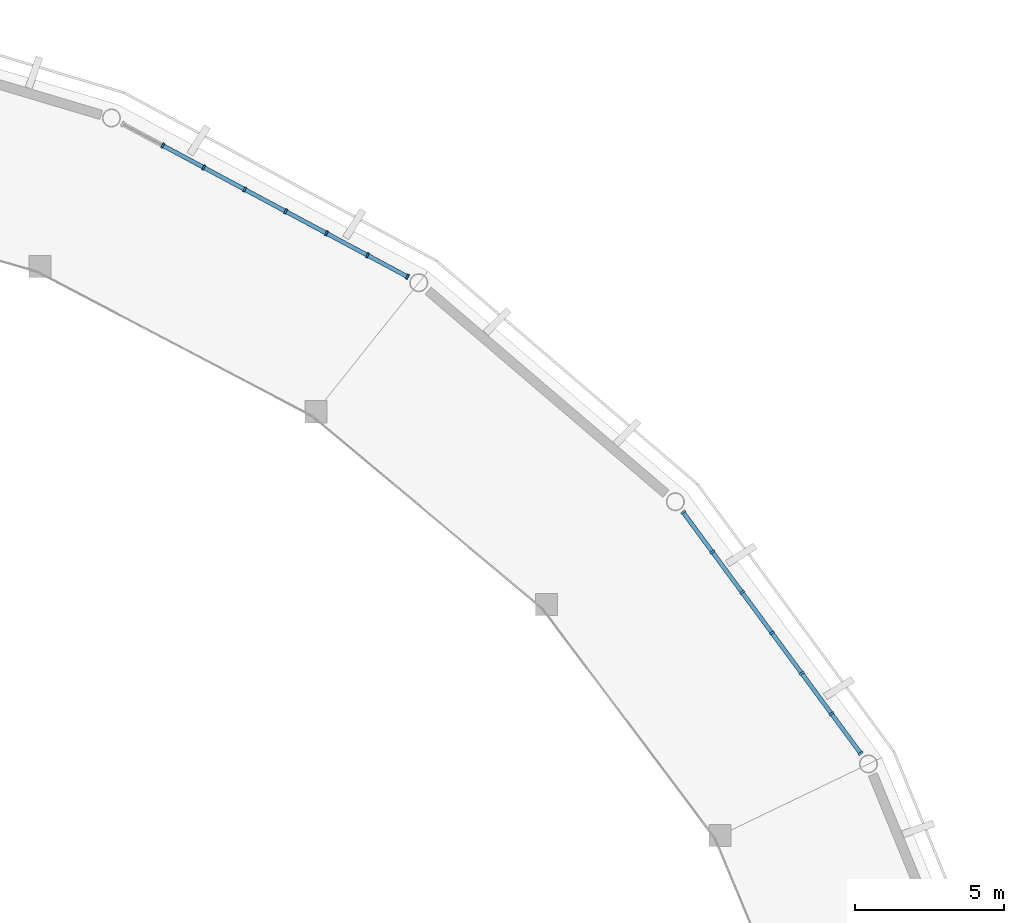
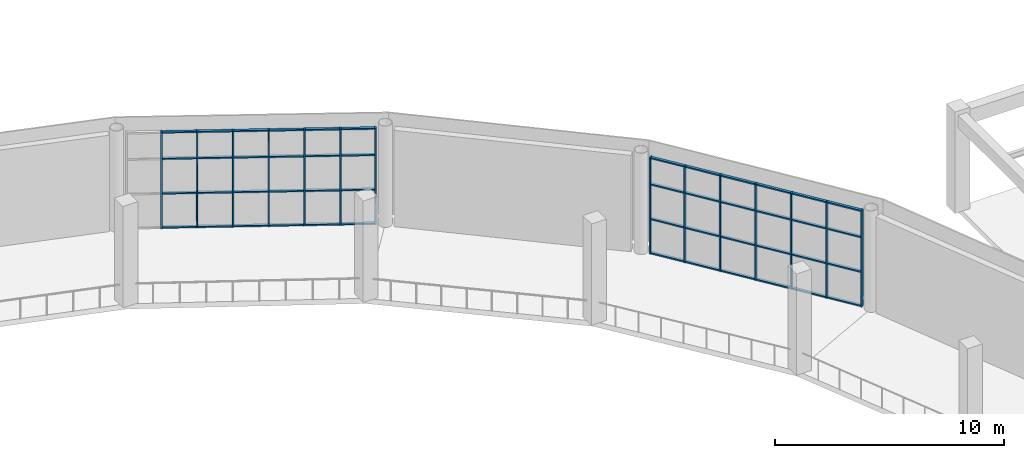
# One storey, part 19 of 40: 62 members, 2 elements without a shape of their own.
"""IFC4 building model written with IfcOpenShell, lengths in metres."""

from ifc_helpers import new_model, si_unit, direction, frame, origin, origin_2d, place, context, subcontext, project, spatial, rectangle, extrude, material, material_profile, profile_set, type_object, element, aggregate, save


model = new_model("IFC4")

# Units and contexts
model_context = context("Model", 3, precision=1e-05, world=origin(), true_north=direction((0.0, 1.0)))
body_context = subcontext(model_context, "Body", "Model", "MODEL_VIEW")
ifc_project = project(units=[si_unit("LENGTHUNIT", "METRE"), si_unit("AREAUNIT", "SQUARE_METRE"), si_unit("VOLUMEUNIT", "CUBIC_METRE"), si_unit("PLANEANGLEUNIT", "RADIAN"), si_unit("MASSUNIT", "GRAM", prefix="KILO")], contexts=[model_context])

# Site, building, storey
site_placement = place(None, origin())
site = spatial("IfcSite", under=ifc_project, at=site_placement, CompositionType="ELEMENT")
building_placement = place(site_placement, origin())
building = spatial("IfcBuilding", under=site, at=building_placement, Name="Cuetzalor Civic Arena", CompositionType="ELEMENT")
storey_placement = place(building_placement, frame((0.0, 0.0, 26.39990234375)))
storey = spatial("IfcBuildingStorey", under=building, at=storey_placement, Name="L05", CompositionType="ELEMENT", Elevation=26.39990234375)

# Curtain wall, members
ifc_material_1 = material(Name="Anodised dark bronze aluminium and low-E solar glass", Category="aluminium")
curtain_wall_type_1 = type_object("IfcCurtainWallType", Name="UnitisedCW_10150x5150", PredefinedType="USERDEFINED", material=ifc_material_1)
curtain_wall_1_placement = place(storey_placement, origin())
curtain_wall_1 = element("IfcCurtainWall", 1, at=curtain_wall_1_placement, inside=storey, type_object=curtain_wall_type_1, Name="Drum Triangle Foyer Curtain Wall L05-069", ObjectType="UNITISED CURTAIN WALL", PredefinedType="USERDEFINED")
ifc_material_2 = material(Name="Anodised dark bronze aluminium", Category="aluminium")
ifc_material_profile_1 = material_profile(ifc_material_2, rectangle(XDim=0.070068359375, YDim=0.179931640625, at=origin_2d()), Name="ALU MULLION 70x180")
ifc_profile_set_1 = profile_set([ifc_material_profile_1], Name="Anodised dark bronze aluminium")
member_type_1 = type_object("IfcMemberType", Name="CurtainWallMullion_65x180", PredefinedType="MULLION", material=ifc_profile_set_1)
member_1_placement = place(storey_placement, frame((42.911865234375, 28.66650390625, 0.0), z_axis=(0.0, 0.0, 1.0), x_axis=(0.59292931222, -0.805254513002, 0.0)))
member_1 = element("IfcMember", 2, at=member_1_placement, type_object=member_type_1, Name="CW-18 mullion 1", PredefinedType="MULLION", context=body_context, shape_type="SweptSolid", body=[
    extrude(rectangle(XDim=0.070068359375, YDim=0.179931640625, at=origin_2d()), origin(), (0.0, 0.0, 1.0), 5.135986328125),
])
member_2_placement = place(storey_placement, frame((43.8935546875, 27.333251953125, 0.0), z_axis=(0.0, 0.0, 1.0), x_axis=(0.59292931222, -0.805254513002, 0.0)))
member_2 = element("IfcMember", 3, at=member_2_placement, type_object=member_type_1, Name="CW-18 mullion 2", PredefinedType="MULLION", context=body_context, shape_type="SweptSolid", body=[
    extrude(rectangle(XDim=0.070068359375, YDim=0.179931640625, at=origin_2d()), origin(), (0.0, 0.0, 1.0), 5.135986328125),
])
member_3_placement = place(storey_placement, frame((44.89599609375, 25.9716796875, 0.0), z_axis=(0.0, 0.0, 1.0), x_axis=(0.59292931222, -0.805254513002, 0.0)))
member_3 = element("IfcMember", 4, at=member_3_placement, type_object=member_type_1, Name="CW-18 mullion 3", PredefinedType="MULLION", context=body_context, shape_type="SweptSolid", body=[
    extrude(rectangle(XDim=0.070068359375, YDim=0.179931640625, at=origin_2d()), origin(), (0.0, 0.0, 1.0), 5.135986328125),
])
member_4_placement = place(storey_placement, frame((45.8984375, 24.6103515625, 0.0), z_axis=(0.0, 0.0, 1.0), x_axis=(0.59292931222, -0.805254513002, 0.0)))
member_4 = element("IfcMember", 5, at=member_4_placement, type_object=member_type_1, Name="CW-18 mullion 4", PredefinedType="MULLION", context=body_context, shape_type="SweptSolid", body=[
    extrude(rectangle(XDim=0.070068359375, YDim=0.179931640625, at=origin_2d()), origin(), (0.0, 0.0, 1.0), 5.135986328125),
])
member_5_placement = place(storey_placement, frame((46.90087890625, 23.2490234375, 0.0), z_axis=(0.0, 0.0, 1.0), x_axis=(0.59292931222, -0.805254513002, 0.0)))
member_5 = element("IfcMember", 6, at=member_5_placement, type_object=member_type_1, Name="CW-18 mullion 5", PredefinedType="MULLION", context=body_context, shape_type="SweptSolid", body=[
    extrude(rectangle(XDim=0.070068359375, YDim=0.179931640625, at=origin_2d()), origin(), (0.0, 0.0, 1.0), 5.135986328125),
])
member_6_placement = place(storey_placement, frame((47.9033203125, 21.8876953125, 0.0), z_axis=(0.0, 0.0, 1.0), x_axis=(0.59292931222, -0.805254513002, 0.0)))
member_6 = element("IfcMember", 7, at=member_6_placement, type_object=member_type_1, Name="CW-18 mullion 6", PredefinedType="MULLION", context=body_context, shape_type="SweptSolid", body=[
    extrude(rectangle(XDim=0.070068359375, YDim=0.179931640625, at=origin_2d()), origin(), (0.0, 0.0, 1.0), 5.135986328125),
])
member_7_placement = place(storey_placement, frame((48.885009765625, 20.554443359375, 0.0), z_axis=(0.0, 0.0, 1.0), x_axis=(0.59292931222, -0.805254513002, 0.0)))
member_7 = element("IfcMember", 8, at=member_7_placement, type_object=member_type_1, Name="CW-18 mullion 7", PredefinedType="MULLION", context=body_context, shape_type="SweptSolid", body=[
    extrude(rectangle(XDim=0.070068359375, YDim=0.179931640625, at=origin_2d()), origin(), (0.0, 0.0, 1.0), 5.135986328125),
])

ifc_material_3 = material(Name="Anodised dark bronze aluminium and low-E solar glass", Category="aluminium")
curtain_wall_type_2 = type_object("IfcCurtainWallType", Name="UnitisedCW_10950x5150", PredefinedType="USERDEFINED", material=ifc_material_3)
curtain_wall_2_placement = place(storey_placement, origin())
curtain_wall_2 = element("IfcCurtainWall", 9, at=curtain_wall_2_placement, inside=storey, type_object=curtain_wall_type_2, Name="Drum Triangle Foyer Curtain Wall L05-070", ObjectType="UNITISED CURTAIN WALL", PredefinedType="USERDEFINED")
member_8_placement = place(storey_placement, frame((25.39453125, 41.0146484375, 0.0), z_axis=(0.0, 0.0, 1.0), x_axis=(0.881306344124, -0.472545371163, 0.0)))
member_8 = element("IfcMember", 10, at=member_8_placement, type_object=member_type_1, Name="CW-19 mullion 2", PredefinedType="MULLION", context=body_context, shape_type="SweptSolid", body=[
    extrude(rectangle(XDim=0.070068359375, YDim=0.179931640625, at=origin_2d()), origin(), (0.0, 0.0, 1.0), 5.135986328125),
])
member_9_placement = place(storey_placement, frame((26.772705078125, 40.275634765625, 0.0), z_axis=(0.0, 0.0, 1.0), x_axis=(0.881306344124, -0.472545371163, 0.0)))
member_9 = element("IfcMember", 11, at=member_9_placement, type_object=member_type_1, Name="CW-19 mullion 3", PredefinedType="MULLION", context=body_context, shape_type="SweptSolid", body=[
    extrude(rectangle(XDim=0.070068359375, YDim=0.179931640625, at=origin_2d()), origin(), (0.0, 0.0, 1.0), 5.135986328125),
])
member_10_placement = place(storey_placement, frame((28.15087890625, 39.53662109375, 0.0), z_axis=(0.0, 0.0, 1.0), x_axis=(0.881306344124, -0.472545371163, 0.0)))
member_10 = element("IfcMember", 12, at=member_10_placement, type_object=member_type_1, Name="CW-19 mullion 4", PredefinedType="MULLION", context=body_context, shape_type="SweptSolid", body=[
    extrude(rectangle(XDim=0.070068359375, YDim=0.179931640625, at=origin_2d()), origin(), (0.0, 0.0, 1.0), 5.135986328125),
])
member_11_placement = place(storey_placement, frame((29.529052734375, 38.797607421875, 0.0), z_axis=(0.0, 0.0, 1.0), x_axis=(0.881306344124, -0.472545371163, 0.0)))
member_11 = element("IfcMember", 13, at=member_11_placement, type_object=member_type_1, Name="CW-19 mullion 5", PredefinedType="MULLION", context=body_context, shape_type="SweptSolid", body=[
    extrude(rectangle(XDim=0.070068359375, YDim=0.179931640625, at=origin_2d()), origin(), (0.0, 0.0, 1.0), 5.135986328125),
])
member_12_placement = place(storey_placement, frame((30.9072265625, 38.058837890625, 0.0), z_axis=(0.0, 0.0, 1.0), x_axis=(0.881306344124, -0.472545371163, 0.0)))
member_12 = element("IfcMember", 14, at=member_12_placement, type_object=member_type_1, Name="CW-19 mullion 6", PredefinedType="MULLION", context=body_context, shape_type="SweptSolid", body=[
    extrude(rectangle(XDim=0.070068359375, YDim=0.179931640625, at=origin_2d()), origin(), (0.0, 0.0, 1.0), 5.135986328125),
])
member_13_placement = place(storey_placement, frame((32.28515625, 37.31982421875, 0.0), z_axis=(0.0, 0.0, 1.0), x_axis=(0.881306344124, -0.472545371163, 0.0)))
member_13 = element("IfcMember", 15, at=member_13_placement, type_object=member_type_1, Name="CW-19 mullion 7", PredefinedType="MULLION", context=body_context, shape_type="SweptSolid", body=[
    extrude(rectangle(XDim=0.070068359375, YDim=0.179931640625, at=origin_2d()), origin(), (0.0, 0.0, 1.0), 5.135986328125),
])
member_14_placement = place(storey_placement, frame((33.632568359375, 36.597412109375, 0.0), z_axis=(0.0, 0.0, 1.0), x_axis=(0.881306344124, -0.472545371163, 0.0)))
member_14 = element("IfcMember", 16, at=member_14_placement, type_object=member_type_1, Name="CW-19 mullion 8", PredefinedType="MULLION", context=body_context, shape_type="SweptSolid", body=[
    extrude(rectangle(XDim=0.070068359375, YDim=0.179931640625, at=origin_2d()), origin(), (0.0, 0.0, 1.0), 5.135986328125),
])

# Member
ifc_material_4 = material(Name="Anodised dark bronze aluminium", Category="aluminium")
ifc_material_profile_2 = material_profile(ifc_material_4, rectangle(XDim=0.139892578125, YDim=0.070068359375, at=origin_2d()), Name="ALU TRANSOM 70x140")
ifc_profile_set_2 = profile_set([ifc_material_profile_2], Name="Anodised dark bronze aluminium")
member_type_2 = type_object("IfcMemberType", Name="CurtainWallTransom_65x140", PredefinedType="USERDEFINED", material=ifc_profile_set_2)
member_15_placement = place(storey_placement, frame((42.9326171875, 28.63818359375, 0.03515625), z_axis=(0.59293115048, -0.805253159442, 0.0), x_axis=(0.805253159442, 0.59293115048, 0.0)))
member_15 = element("IfcMember", 17, at=member_15_placement, type_object=member_type_2, Name="CW-18 transom 1.1", ObjectType="TRANSOM", PredefinedType="USERDEFINED", context=body_context, shape_type="SweptSolid", body=[
    extrude(rectangle(XDim=0.139892578125, YDim=0.070068359375, at=origin_2d()), origin(), (0.0, 0.0, 1.0), 1.585693359375),
])

member_16_placement = place(storey_placement, frame((42.9326171875, 28.63818359375, 1.84912109375), z_axis=(0.59293115048, -0.805253159442, 0.0), x_axis=(0.805253159442, 0.59293115048, 0.0)))
member_16 = element("IfcMember", 18, at=member_16_placement, type_object=member_type_2, Name="CW-18 transom 1.2", ObjectType="TRANSOM", PredefinedType="USERDEFINED", context=body_context, shape_type="SweptSolid", body=[
    extrude(rectangle(XDim=0.139892578125, YDim=0.070068359375, at=origin_2d()), origin(), (0.0, 0.0, 1.0), 1.585693359375),
])

member_17_placement = place(storey_placement, frame((42.9326171875, 28.63818359375, 3.697998046875), z_axis=(0.59293115048, -0.805253159442, 0.0), x_axis=(0.805253159442, 0.59293115048, 0.0)))
member_17 = element("IfcMember", 19, at=member_17_placement, type_object=member_type_2, Name="CW-18 transom 1.3", ObjectType="TRANSOM", PredefinedType="USERDEFINED", context=body_context, shape_type="SweptSolid", body=[
    extrude(rectangle(XDim=0.139892578125, YDim=0.070068359375, at=origin_2d()), origin(), (0.0, 0.0, 1.0), 1.585693359375),
])

member_18_placement = place(storey_placement, frame((42.9326171875, 28.63818359375, 5.10107421875), z_axis=(0.59293115048, -0.805253159442, 0.0), x_axis=(0.805253159442, 0.59293115048, 0.0)))
member_18 = element("IfcMember", 20, at=member_18_placement, type_object=member_type_2, Name="CW-18 transom 1.4", ObjectType="TRANSOM", PredefinedType="USERDEFINED", context=body_context, shape_type="SweptSolid", body=[
    extrude(rectangle(XDim=0.139892578125, YDim=0.070068359375, at=origin_2d()), origin(), (0.0, 0.0, 1.0), 1.585693359375),
])

member_19_placement = place(storey_placement, frame((43.914306640625, 27.304931640625, 0.03515625), z_axis=(0.592962622822, -0.805229984499, 0.0), x_axis=(0.805229984499, 0.592962622822, 0.0)))
member_19 = element("IfcMember", 21, at=member_19_placement, type_object=member_type_2, Name="CW-18 transom 2.1", ObjectType="TRANSOM", PredefinedType="USERDEFINED", context=body_context, shape_type="SweptSolid", body=[
    extrude(rectangle(XDim=0.139892578125, YDim=0.070068359375, at=origin_2d()), origin(), (0.0, 0.0, 1.0), 1.62060546875),
])

member_20_placement = place(storey_placement, frame((43.914306640625, 27.304931640625, 1.84912109375), z_axis=(0.592962622822, -0.805229984499, 0.0), x_axis=(0.805229984499, 0.592962622822, 0.0)))
member_20 = element("IfcMember", 22, at=member_20_placement, type_object=member_type_2, Name="CW-18 transom 2.2", ObjectType="TRANSOM", PredefinedType="USERDEFINED", context=body_context, shape_type="SweptSolid", body=[
    extrude(rectangle(XDim=0.139892578125, YDim=0.070068359375, at=origin_2d()), origin(), (0.0, 0.0, 1.0), 1.62060546875),
])

member_21_placement = place(storey_placement, frame((43.914306640625, 27.304931640625, 3.697998046875), z_axis=(0.592962622822, -0.805229984499, 0.0), x_axis=(0.805229984499, 0.592962622822, 0.0)))
member_21 = element("IfcMember", 23, at=member_21_placement, type_object=member_type_2, Name="CW-18 transom 2.3", ObjectType="TRANSOM", PredefinedType="USERDEFINED", context=body_context, shape_type="SweptSolid", body=[
    extrude(rectangle(XDim=0.139892578125, YDim=0.070068359375, at=origin_2d()), origin(), (0.0, 0.0, 1.0), 1.62060546875),
])

member_22_placement = place(storey_placement, frame((43.914306640625, 27.304931640625, 5.10107421875), z_axis=(0.592962622822, -0.805229984499, 0.0), x_axis=(0.805229984499, 0.592962622822, 0.0)))
member_22 = element("IfcMember", 24, at=member_22_placement, type_object=member_type_2, Name="CW-18 transom 2.4", ObjectType="TRANSOM", PredefinedType="USERDEFINED", context=body_context, shape_type="SweptSolid", body=[
    extrude(rectangle(XDim=0.139892578125, YDim=0.070068359375, at=origin_2d()), origin(), (0.0, 0.0, 1.0), 1.62060546875),
])

member_23_placement = place(storey_placement, frame((44.916748046875, 25.943603515625, 0.03515625), z_axis=(0.592962622822, -0.805229984499, 0.0), x_axis=(0.805229984499, 0.592962622822, 0.0)))
member_23 = element("IfcMember", 25, at=member_23_placement, type_object=member_type_2, Name="CW-18 transom 3.1", ObjectType="TRANSOM", PredefinedType="USERDEFINED", context=body_context, shape_type="SweptSolid", body=[
    extrude(rectangle(XDim=0.139892578125, YDim=0.070068359375, at=origin_2d()), origin(), (0.0, 0.0, 1.0), 1.62060546875),
])

member_24_placement = place(storey_placement, frame((44.916748046875, 25.943603515625, 1.84912109375), z_axis=(0.592962622822, -0.805229984499, 0.0), x_axis=(0.805229984499, 0.592962622822, 0.0)))
member_24 = element("IfcMember", 26, at=member_24_placement, type_object=member_type_2, Name="CW-18 transom 3.2", ObjectType="TRANSOM", PredefinedType="USERDEFINED", context=body_context, shape_type="SweptSolid", body=[
    extrude(rectangle(XDim=0.139892578125, YDim=0.070068359375, at=origin_2d()), origin(), (0.0, 0.0, 1.0), 1.62060546875),
])

member_25_placement = place(storey_placement, frame((44.916748046875, 25.943603515625, 3.697998046875), z_axis=(0.592962622822, -0.805229984499, 0.0), x_axis=(0.805229984499, 0.592962622822, 0.0)))
member_25 = element("IfcMember", 27, at=member_25_placement, type_object=member_type_2, Name="CW-18 transom 3.3", ObjectType="TRANSOM", PredefinedType="USERDEFINED", context=body_context, shape_type="SweptSolid", body=[
    extrude(rectangle(XDim=0.139892578125, YDim=0.070068359375, at=origin_2d()), origin(), (0.0, 0.0, 1.0), 1.62060546875),
])

member_26_placement = place(storey_placement, frame((44.916748046875, 25.943603515625, 5.10107421875), z_axis=(0.592962622822, -0.805229984499, 0.0), x_axis=(0.805229984499, 0.592962622822, 0.0)))
member_26 = element("IfcMember", 28, at=member_26_placement, type_object=member_type_2, Name="CW-18 transom 3.4", ObjectType="TRANSOM", PredefinedType="USERDEFINED", context=body_context, shape_type="SweptSolid", body=[
    extrude(rectangle(XDim=0.139892578125, YDim=0.070068359375, at=origin_2d()), origin(), (0.0, 0.0, 1.0), 1.62060546875),
])

member_27_placement = place(storey_placement, frame((45.919189453125, 24.582275390625, 0.03515625), z_axis=(0.592890697621, -0.805282944482, 0.0), x_axis=(0.805282944482, 0.592890697621, 0.0)))
member_27 = element("IfcMember", 29, at=member_27_placement, type_object=member_type_2, Name="CW-18 transom 4.1", ObjectType="TRANSOM", PredefinedType="USERDEFINED", context=body_context, shape_type="SweptSolid", body=[
    extrude(rectangle(XDim=0.139892578125, YDim=0.070068359375, at=origin_2d()), origin(), (0.0, 0.0, 1.0), 1.620849609375),
])

member_28_placement = place(storey_placement, frame((45.919189453125, 24.582275390625, 1.84912109375), z_axis=(0.592890697621, -0.805282944482, 0.0), x_axis=(0.805282944482, 0.592890697621, 0.0)))
member_28 = element("IfcMember", 30, at=member_28_placement, type_object=member_type_2, Name="CW-18 transom 4.2", ObjectType="TRANSOM", PredefinedType="USERDEFINED", context=body_context, shape_type="SweptSolid", body=[
    extrude(rectangle(XDim=0.139892578125, YDim=0.070068359375, at=origin_2d()), origin(), (0.0, 0.0, 1.0), 1.620849609375),
])

member_29_placement = place(storey_placement, frame((45.919189453125, 24.582275390625, 3.697998046875), z_axis=(0.592890697621, -0.805282944482, 0.0), x_axis=(0.805282944482, 0.592890697621, 0.0)))
member_29 = element("IfcMember", 31, at=member_29_placement, type_object=member_type_2, Name="CW-18 transom 4.3", ObjectType="TRANSOM", PredefinedType="USERDEFINED", context=body_context, shape_type="SweptSolid", body=[
    extrude(rectangle(XDim=0.139892578125, YDim=0.070068359375, at=origin_2d()), origin(), (0.0, 0.0, 1.0), 1.620849609375),
])

member_30_placement = place(storey_placement, frame((45.919189453125, 24.582275390625, 5.10107421875), z_axis=(0.592890697621, -0.805282944482, 0.0), x_axis=(0.805282944482, 0.592890697621, 0.0)))
member_30 = element("IfcMember", 32, at=member_30_placement, type_object=member_type_2, Name="CW-18 transom 4.4", ObjectType="TRANSOM", PredefinedType="USERDEFINED", context=body_context, shape_type="SweptSolid", body=[
    extrude(rectangle(XDim=0.139892578125, YDim=0.070068359375, at=origin_2d()), origin(), (0.0, 0.0, 1.0), 1.620849609375),
])

member_31_placement = place(storey_placement, frame((46.921630859375, 23.220703125, 0.03515625), z_axis=(0.592962622822, -0.805229984499, 0.0), x_axis=(0.805229984499, 0.592962622822, 0.0)))
member_31 = element("IfcMember", 33, at=member_31_placement, type_object=member_type_2, Name="CW-18 transom 5.1", ObjectType="TRANSOM", PredefinedType="USERDEFINED", context=body_context, shape_type="SweptSolid", body=[
    extrude(rectangle(XDim=0.139892578125, YDim=0.070068359375, at=origin_2d()), origin(), (0.0, 0.0, 1.0), 1.62060546875),
])

member_32_placement = place(storey_placement, frame((46.921630859375, 23.220703125, 1.84912109375), z_axis=(0.592962622822, -0.805229984499, 0.0), x_axis=(0.805229984499, 0.592962622822, 0.0)))
member_32 = element("IfcMember", 34, at=member_32_placement, type_object=member_type_2, Name="CW-18 transom 5.2", ObjectType="TRANSOM", PredefinedType="USERDEFINED", context=body_context, shape_type="SweptSolid", body=[
    extrude(rectangle(XDim=0.139892578125, YDim=0.070068359375, at=origin_2d()), origin(), (0.0, 0.0, 1.0), 1.62060546875),
])

member_33_placement = place(storey_placement, frame((46.921630859375, 23.220703125, 3.697998046875), z_axis=(0.592962622822, -0.805229984499, 0.0), x_axis=(0.805229984499, 0.592962622822, 0.0)))
member_33 = element("IfcMember", 35, at=member_33_placement, type_object=member_type_2, Name="CW-18 transom 5.3", ObjectType="TRANSOM", PredefinedType="USERDEFINED", context=body_context, shape_type="SweptSolid", body=[
    extrude(rectangle(XDim=0.139892578125, YDim=0.070068359375, at=origin_2d()), origin(), (0.0, 0.0, 1.0), 1.62060546875),
])

member_34_placement = place(storey_placement, frame((46.921630859375, 23.220703125, 5.10107421875), z_axis=(0.592962622822, -0.805229984499, 0.0), x_axis=(0.805229984499, 0.592962622822, 0.0)))
member_34 = element("IfcMember", 36, at=member_34_placement, type_object=member_type_2, Name="CW-18 transom 5.4", ObjectType="TRANSOM", PredefinedType="USERDEFINED", context=body_context, shape_type="SweptSolid", body=[
    extrude(rectangle(XDim=0.139892578125, YDim=0.070068359375, at=origin_2d()), origin(), (0.0, 0.0, 1.0), 1.62060546875),
])

member_35_placement = place(storey_placement, frame((47.924072265625, 21.859375, 0.03515625), z_axis=(0.59293115048, -0.805253159442, 0.0), x_axis=(0.805253159442, 0.59293115048, 0.0)))
member_35 = element("IfcMember", 37, at=member_35_placement, type_object=member_type_2, Name="CW-18 transom 6.1", ObjectType="TRANSOM", PredefinedType="USERDEFINED", context=body_context, shape_type="SweptSolid", body=[
    extrude(rectangle(XDim=0.139892578125, YDim=0.070068359375, at=origin_2d()), origin(), (0.0, 0.0, 1.0), 1.585693359375),
])

member_36_placement = place(storey_placement, frame((47.924072265625, 21.859375, 1.84912109375), z_axis=(0.59293115048, -0.805253159442, 0.0), x_axis=(0.805253159442, 0.59293115048, 0.0)))
member_36 = element("IfcMember", 38, at=member_36_placement, type_object=member_type_2, Name="CW-18 transom 6.2", ObjectType="TRANSOM", PredefinedType="USERDEFINED", context=body_context, shape_type="SweptSolid", body=[
    extrude(rectangle(XDim=0.139892578125, YDim=0.070068359375, at=origin_2d()), origin(), (0.0, 0.0, 1.0), 1.585693359375),
])

member_37_placement = place(storey_placement, frame((47.924072265625, 21.859375, 3.697998046875), z_axis=(0.59293115048, -0.805253159442, 0.0), x_axis=(0.805253159442, 0.59293115048, 0.0)))
member_37 = element("IfcMember", 39, at=member_37_placement, type_object=member_type_2, Name="CW-18 transom 6.3", ObjectType="TRANSOM", PredefinedType="USERDEFINED", context=body_context, shape_type="SweptSolid", body=[
    extrude(rectangle(XDim=0.139892578125, YDim=0.070068359375, at=origin_2d()), origin(), (0.0, 0.0, 1.0), 1.585693359375),
])

member_38_placement = place(storey_placement, frame((47.924072265625, 21.859375, 5.10107421875), z_axis=(0.59293115048, -0.805253159442, 0.0), x_axis=(0.805253159442, 0.59293115048, 0.0)))
member_38 = element("IfcMember", 40, at=member_38_placement, type_object=member_type_2, Name="CW-18 transom 6.4", ObjectType="TRANSOM", PredefinedType="USERDEFINED", context=body_context, shape_type="SweptSolid", body=[
    extrude(rectangle(XDim=0.139892578125, YDim=0.070068359375, at=origin_2d()), origin(), (0.0, 0.0, 1.0), 1.585693359375),
])

aggregate(curtain_wall_1, [member_1, member_2, member_3, member_4, member_5, member_6, member_7, member_15, member_16, member_17, member_18, member_19, member_20, member_21, member_22, member_23, member_24, member_25, member_26, member_27, member_28, member_29, member_30, member_31, member_32, member_33, member_34, member_35, member_36, member_37, member_38])

member_39_placement = place(storey_placement, frame((25.42529296875, 40.998046875, 0.03515625), z_axis=(0.881351173238, -0.472461754465, 0.0), x_axis=(0.472461754465, 0.881351173238, 0.0)))
member_39 = element("IfcMember", 41, at=member_39_placement, type_object=member_type_2, Name="CW-19 transom 2.1", ObjectType="TRANSOM", PredefinedType="USERDEFINED", context=body_context, shape_type="SweptSolid", body=[
    extrude(rectangle(XDim=0.139892578125, YDim=0.070068359375, at=origin_2d()), origin(), (0.0, 0.0, 1.0), 1.493896484375),
])

member_40_placement = place(storey_placement, frame((25.42529296875, 40.998046875, 1.84912109375), z_axis=(0.881351173238, -0.472461754465, 0.0), x_axis=(0.472461754465, 0.881351173238, 0.0)))
member_40 = element("IfcMember", 42, at=member_40_placement, type_object=member_type_2, Name="CW-19 transom 2.2", ObjectType="TRANSOM", PredefinedType="USERDEFINED", context=body_context, shape_type="SweptSolid", body=[
    extrude(rectangle(XDim=0.139892578125, YDim=0.070068359375, at=origin_2d()), origin(), (0.0, 0.0, 1.0), 1.493896484375),
])

member_41_placement = place(storey_placement, frame((25.42529296875, 40.998046875, 3.697998046875), z_axis=(0.881351173238, -0.472461754465, 0.0), x_axis=(0.472461754465, 0.881351173238, 0.0)))
member_41 = element("IfcMember", 43, at=member_41_placement, type_object=member_type_2, Name="CW-19 transom 2.3", ObjectType="TRANSOM", PredefinedType="USERDEFINED", context=body_context, shape_type="SweptSolid", body=[
    extrude(rectangle(XDim=0.139892578125, YDim=0.070068359375, at=origin_2d()), origin(), (0.0, 0.0, 1.0), 1.493896484375),
])

member_42_placement = place(storey_placement, frame((25.42529296875, 40.998046875, 5.10107421875), z_axis=(0.881351173238, -0.472461754465, 0.0), x_axis=(0.472461754465, 0.881351173238, 0.0)))
member_42 = element("IfcMember", 44, at=member_42_placement, type_object=member_type_2, Name="CW-19 transom 2.4", ObjectType="TRANSOM", PredefinedType="USERDEFINED", context=body_context, shape_type="SweptSolid", body=[
    extrude(rectangle(XDim=0.139892578125, YDim=0.070068359375, at=origin_2d()), origin(), (0.0, 0.0, 1.0), 1.493896484375),
])

member_43_placement = place(storey_placement, frame((26.803466796875, 40.259033203125, 0.03515625), z_axis=(0.881314685602, -0.472529813812, 0.0), x_axis=(0.472529813812, 0.881314685602, 0.0)))
member_43 = element("IfcMember", 45, at=member_43_placement, type_object=member_type_2, Name="CW-19 transom 3.1", ObjectType="TRANSOM", PredefinedType="USERDEFINED", context=body_context, shape_type="SweptSolid", body=[
    extrude(rectangle(XDim=0.139892578125, YDim=0.070068359375, at=origin_2d()), origin(), (0.0, 0.0, 1.0), 1.49365234375),
])

member_44_placement = place(storey_placement, frame((26.803466796875, 40.259033203125, 1.84912109375), z_axis=(0.881314685602, -0.472529813812, 0.0), x_axis=(0.472529813812, 0.881314685602, 0.0)))
member_44 = element("IfcMember", 46, at=member_44_placement, type_object=member_type_2, Name="CW-19 transom 3.2", ObjectType="TRANSOM", PredefinedType="USERDEFINED", context=body_context, shape_type="SweptSolid", body=[
    extrude(rectangle(XDim=0.139892578125, YDim=0.070068359375, at=origin_2d()), origin(), (0.0, 0.0, 1.0), 1.49365234375),
])

member_45_placement = place(storey_placement, frame((26.803466796875, 40.259033203125, 3.697998046875), z_axis=(0.881314685602, -0.472529813812, 0.0), x_axis=(0.472529813812, 0.881314685602, 0.0)))
member_45 = element("IfcMember", 47, at=member_45_placement, type_object=member_type_2, Name="CW-19 transom 3.3", ObjectType="TRANSOM", PredefinedType="USERDEFINED", context=body_context, shape_type="SweptSolid", body=[
    extrude(rectangle(XDim=0.139892578125, YDim=0.070068359375, at=origin_2d()), origin(), (0.0, 0.0, 1.0), 1.49365234375),
])

member_46_placement = place(storey_placement, frame((26.803466796875, 40.259033203125, 5.10107421875), z_axis=(0.881314685602, -0.472529813812, 0.0), x_axis=(0.472529813812, 0.881314685602, 0.0)))
member_46 = element("IfcMember", 48, at=member_46_placement, type_object=member_type_2, Name="CW-19 transom 3.4", ObjectType="TRANSOM", PredefinedType="USERDEFINED", context=body_context, shape_type="SweptSolid", body=[
    extrude(rectangle(XDim=0.139892578125, YDim=0.070068359375, at=origin_2d()), origin(), (0.0, 0.0, 1.0), 1.49365234375),
])

member_47_placement = place(storey_placement, frame((28.181640625, 39.52001953125, 0.03515625), z_axis=(0.881314685602, -0.472529813812, 0.0), x_axis=(0.472529813812, 0.881314685602, 0.0)))
member_47 = element("IfcMember", 49, at=member_47_placement, type_object=member_type_2, Name="CW-19 transom 4.1", ObjectType="TRANSOM", PredefinedType="USERDEFINED", context=body_context, shape_type="SweptSolid", body=[
    extrude(rectangle(XDim=0.139892578125, YDim=0.070068359375, at=origin_2d()), origin(), (0.0, 0.0, 1.0), 1.49365234375),
])

member_48_placement = place(storey_placement, frame((28.181640625, 39.52001953125, 1.84912109375), z_axis=(0.881314685602, -0.472529813812, 0.0), x_axis=(0.472529813812, 0.881314685602, 0.0)))
member_48 = element("IfcMember", 50, at=member_48_placement, type_object=member_type_2, Name="CW-19 transom 4.2", ObjectType="TRANSOM", PredefinedType="USERDEFINED", context=body_context, shape_type="SweptSolid", body=[
    extrude(rectangle(XDim=0.139892578125, YDim=0.070068359375, at=origin_2d()), origin(), (0.0, 0.0, 1.0), 1.49365234375),
])

member_49_placement = place(storey_placement, frame((28.181640625, 39.52001953125, 3.697998046875), z_axis=(0.881314685602, -0.472529813812, 0.0), x_axis=(0.472529813812, 0.881314685602, 0.0)))
member_49 = element("IfcMember", 51, at=member_49_placement, type_object=member_type_2, Name="CW-19 transom 4.3", ObjectType="TRANSOM", PredefinedType="USERDEFINED", context=body_context, shape_type="SweptSolid", body=[
    extrude(rectangle(XDim=0.139892578125, YDim=0.070068359375, at=origin_2d()), origin(), (0.0, 0.0, 1.0), 1.49365234375),
])

member_50_placement = place(storey_placement, frame((28.181640625, 39.52001953125, 5.10107421875), z_axis=(0.881314685602, -0.472529813812, 0.0), x_axis=(0.472529813812, 0.881314685602, 0.0)))
member_50 = element("IfcMember", 52, at=member_50_placement, type_object=member_type_2, Name="CW-19 transom 4.4", ObjectType="TRANSOM", PredefinedType="USERDEFINED", context=body_context, shape_type="SweptSolid", body=[
    extrude(rectangle(XDim=0.139892578125, YDim=0.070068359375, at=origin_2d()), origin(), (0.0, 0.0, 1.0), 1.49365234375),
])

member_51_placement = place(storey_placement, frame((29.559814453125, 38.78125, 0.03515625), z_axis=(0.881314685602, -0.472529813812, 0.0), x_axis=(0.472529813812, 0.881314685602, 0.0)))
member_51 = element("IfcMember", 53, at=member_51_placement, type_object=member_type_2, Name="CW-19 transom 5.1", ObjectType="TRANSOM", PredefinedType="USERDEFINED", context=body_context, shape_type="SweptSolid", body=[
    extrude(rectangle(XDim=0.139892578125, YDim=0.070068359375, at=origin_2d()), origin(), (0.0, 0.0, 1.0), 1.49365234375),
])

member_52_placement = place(storey_placement, frame((29.559814453125, 38.78125, 1.84912109375), z_axis=(0.881314685602, -0.472529813812, 0.0), x_axis=(0.472529813812, 0.881314685602, 0.0)))
member_52 = element("IfcMember", 54, at=member_52_placement, type_object=member_type_2, Name="CW-19 transom 5.2", ObjectType="TRANSOM", PredefinedType="USERDEFINED", context=body_context, shape_type="SweptSolid", body=[
    extrude(rectangle(XDim=0.139892578125, YDim=0.070068359375, at=origin_2d()), origin(), (0.0, 0.0, 1.0), 1.49365234375),
])

member_53_placement = place(storey_placement, frame((29.559814453125, 38.78125, 3.697998046875), z_axis=(0.881314685602, -0.472529813812, 0.0), x_axis=(0.472529813812, 0.881314685602, 0.0)))
member_53 = element("IfcMember", 55, at=member_53_placement, type_object=member_type_2, Name="CW-19 transom 5.3", ObjectType="TRANSOM", PredefinedType="USERDEFINED", context=body_context, shape_type="SweptSolid", body=[
    extrude(rectangle(XDim=0.139892578125, YDim=0.070068359375, at=origin_2d()), origin(), (0.0, 0.0, 1.0), 1.49365234375),
])

member_54_placement = place(storey_placement, frame((29.559814453125, 38.78125, 5.10107421875), z_axis=(0.881314685602, -0.472529813812, 0.0), x_axis=(0.472529813812, 0.881314685602, 0.0)))
member_54 = element("IfcMember", 56, at=member_54_placement, type_object=member_type_2, Name="CW-19 transom 5.4", ObjectType="TRANSOM", PredefinedType="USERDEFINED", context=body_context, shape_type="SweptSolid", body=[
    extrude(rectangle(XDim=0.139892578125, YDim=0.070068359375, at=origin_2d()), origin(), (0.0, 0.0, 1.0), 1.49365234375),
])

member_55_placement = place(storey_placement, frame((30.93798828125, 38.042236328125, 0.03515625), z_axis=(0.881314685602, -0.472529813812, 0.0), x_axis=(0.472529813812, 0.881314685602, 0.0)))
member_55 = element("IfcMember", 57, at=member_55_placement, type_object=member_type_2, Name="CW-19 transom 6.1", ObjectType="TRANSOM", PredefinedType="USERDEFINED", context=body_context, shape_type="SweptSolid", body=[
    extrude(rectangle(XDim=0.139892578125, YDim=0.070068359375, at=origin_2d()), origin(), (0.0, 0.0, 1.0), 1.49365234375),
])

member_56_placement = place(storey_placement, frame((30.93798828125, 38.042236328125, 1.84912109375), z_axis=(0.881314685602, -0.472529813812, 0.0), x_axis=(0.472529813812, 0.881314685602, 0.0)))
member_56 = element("IfcMember", 58, at=member_56_placement, type_object=member_type_2, Name="CW-19 transom 6.2", ObjectType="TRANSOM", PredefinedType="USERDEFINED", context=body_context, shape_type="SweptSolid", body=[
    extrude(rectangle(XDim=0.139892578125, YDim=0.070068359375, at=origin_2d()), origin(), (0.0, 0.0, 1.0), 1.49365234375),
])

member_57_placement = place(storey_placement, frame((30.93798828125, 38.042236328125, 3.697998046875), z_axis=(0.881314685602, -0.472529813812, 0.0), x_axis=(0.472529813812, 0.881314685602, 0.0)))
member_57 = element("IfcMember", 59, at=member_57_placement, type_object=member_type_2, Name="CW-19 transom 6.3", ObjectType="TRANSOM", PredefinedType="USERDEFINED", context=body_context, shape_type="SweptSolid", body=[
    extrude(rectangle(XDim=0.139892578125, YDim=0.070068359375, at=origin_2d()), origin(), (0.0, 0.0, 1.0), 1.49365234375),
])

member_58_placement = place(storey_placement, frame((30.93798828125, 38.042236328125, 5.10107421875), z_axis=(0.881314685602, -0.472529813812, 0.0), x_axis=(0.472529813812, 0.881314685602, 0.0)))
member_58 = element("IfcMember", 60, at=member_58_placement, type_object=member_type_2, Name="CW-19 transom 6.4", ObjectType="TRANSOM", PredefinedType="USERDEFINED", context=body_context, shape_type="SweptSolid", body=[
    extrude(rectangle(XDim=0.139892578125, YDim=0.070068359375, at=origin_2d()), origin(), (0.0, 0.0, 1.0), 1.49365234375),
])

member_59_placement = place(storey_placement, frame((32.316162109375, 37.30322265625, 0.03515625), z_axis=(0.881345577681, -0.472472192517, 0.0), x_axis=(0.472472192517, 0.881345577681, 0.0)))
member_59 = element("IfcMember", 61, at=member_59_placement, type_object=member_type_2, Name="CW-19 transom 7.1", ObjectType="TRANSOM", PredefinedType="USERDEFINED", context=body_context, shape_type="SweptSolid", body=[
    extrude(rectangle(XDim=0.139892578125, YDim=0.070068359375, at=origin_2d()), origin(), (0.0, 0.0, 1.0), 1.458740234375),
])

member_60_placement = place(storey_placement, frame((32.316162109375, 37.30322265625, 1.84912109375), z_axis=(0.881345577681, -0.472472192517, 0.0), x_axis=(0.472472192517, 0.881345577681, 0.0)))
member_60 = element("IfcMember", 62, at=member_60_placement, type_object=member_type_2, Name="CW-19 transom 7.2", ObjectType="TRANSOM", PredefinedType="USERDEFINED", context=body_context, shape_type="SweptSolid", body=[
    extrude(rectangle(XDim=0.139892578125, YDim=0.070068359375, at=origin_2d()), origin(), (0.0, 0.0, 1.0), 1.458740234375),
])

member_61_placement = place(storey_placement, frame((32.316162109375, 37.30322265625, 3.697998046875), z_axis=(0.881345577681, -0.472472192517, 0.0), x_axis=(0.472472192517, 0.881345577681, 0.0)))
member_61 = element("IfcMember", 63, at=member_61_placement, type_object=member_type_2, Name="CW-19 transom 7.3", ObjectType="TRANSOM", PredefinedType="USERDEFINED", context=body_context, shape_type="SweptSolid", body=[
    extrude(rectangle(XDim=0.139892578125, YDim=0.070068359375, at=origin_2d()), origin(), (0.0, 0.0, 1.0), 1.458740234375),
])

member_62_placement = place(storey_placement, frame((32.316162109375, 37.30322265625, 5.10107421875), z_axis=(0.881345577681, -0.472472192517, 0.0), x_axis=(0.472472192517, 0.881345577681, 0.0)))
member_62 = element("IfcMember", 64, at=member_62_placement, type_object=member_type_2, Name="CW-19 transom 7.4", ObjectType="TRANSOM", PredefinedType="USERDEFINED", context=body_context, shape_type="SweptSolid", body=[
    extrude(rectangle(XDim=0.139892578125, YDim=0.070068359375, at=origin_2d()), origin(), (0.0, 0.0, 1.0), 1.458740234375),
])

aggregate(curtain_wall_2, [member_8, member_9, member_10, member_11, member_12, member_13, member_14, member_39, member_40, member_41, member_42, member_43, member_44, member_45, member_46, member_47, member_48, member_49, member_50, member_51, member_52, member_53, member_54, member_55, member_56, member_57, member_58, member_59, member_60, member_61, member_62])

save(model, "model.ifc")
